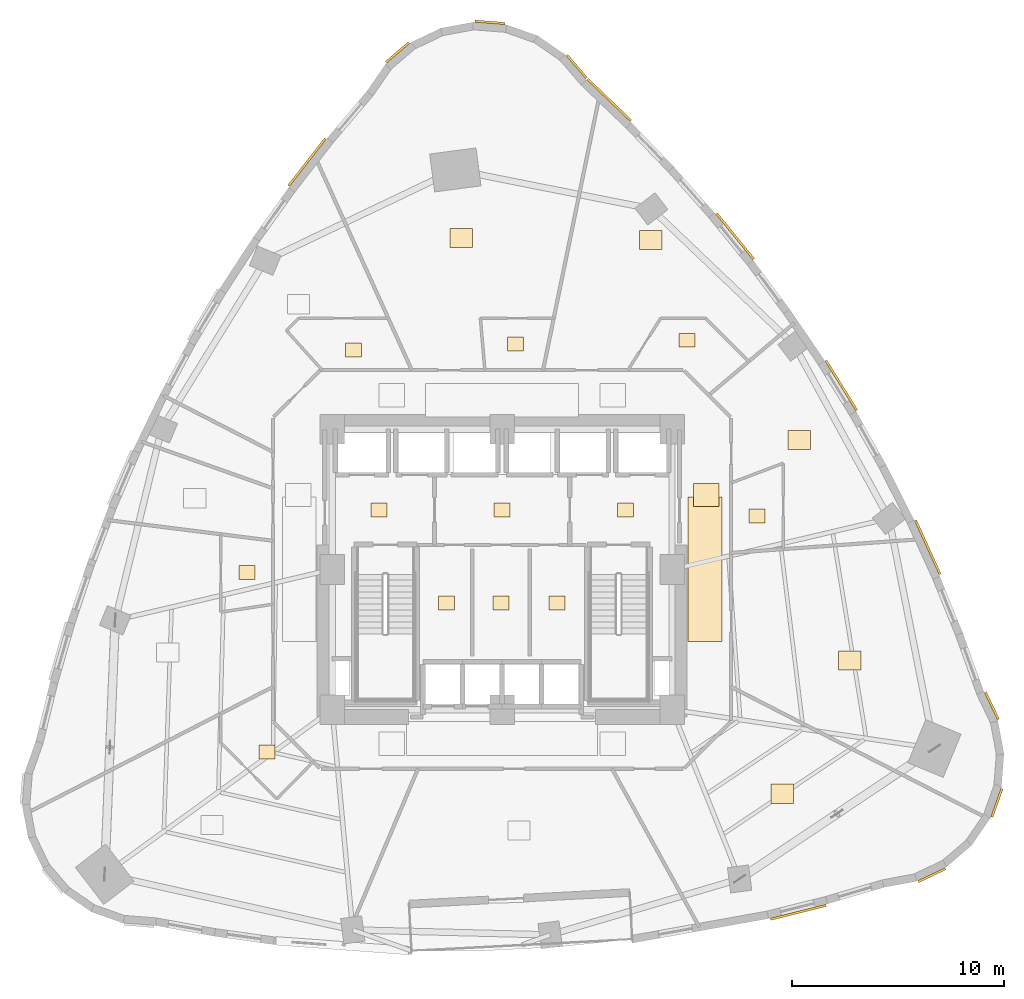
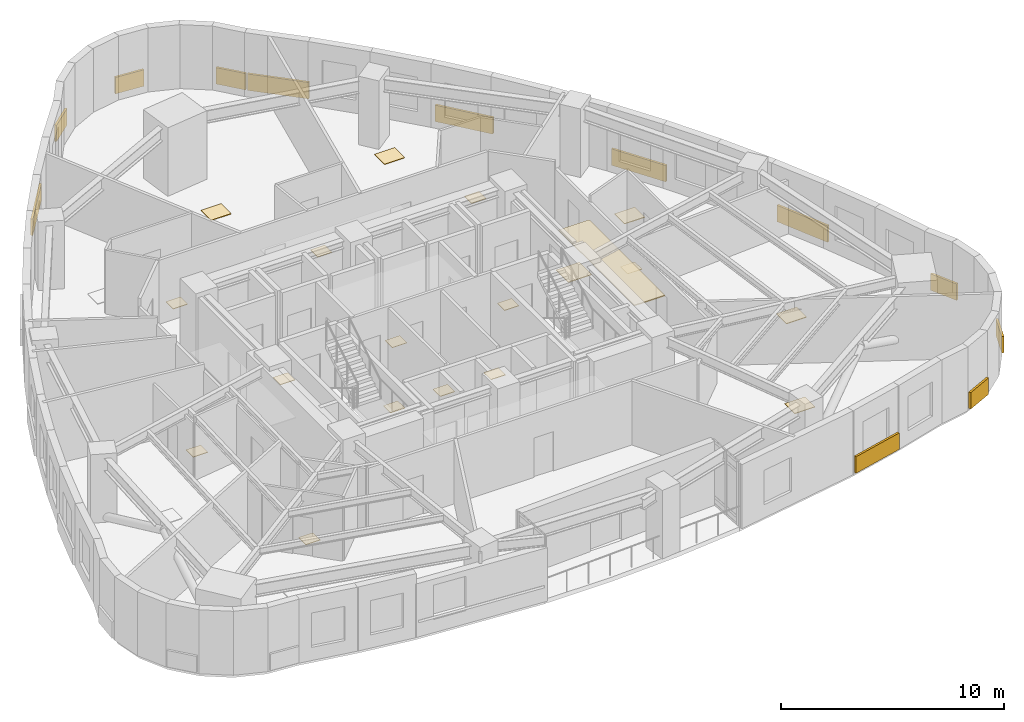
# One storey, part 11 of 11: 31 coverings.
"""IFC4 building model written with IfcOpenShell, lengths in metres."""

from ifc_helpers import new_model, si_unit, direction, frame, origin, origin_2d, place, context, subcontext, project, spatial, rectangle, extrude, material, layer, layer_set, type_object, element, save


model = new_model("IFC4")

# Units and contexts
model_context = context("Model", 3, precision=1e-05, world=origin(), true_north=direction((0.0, 1.0)))
body_context = subcontext(model_context, "Body", "Model", "MODEL_VIEW")
ifc_project = project(units=[si_unit("LENGTHUNIT", "METRE"), si_unit("AREAUNIT", "SQUARE_METRE"), si_unit("VOLUMEUNIT", "CUBIC_METRE"), si_unit("PLANEANGLEUNIT", "RADIAN"), si_unit("MASSUNIT", "GRAM", prefix="KILO")], contexts=[model_context])

# Site, building, storey
site_placement = place(None, origin())
site = spatial("IfcSite", under=ifc_project, at=site_placement, CompositionType="ELEMENT")
building_placement = place(site_placement, origin())
building = spatial("IfcBuilding", under=site, at=building_placement, Name="Ndelora Gate Hotel", CompositionType="ELEMENT")
storey_placement = place(building_placement, frame((0.0, 0.0, 49.25)))
storey = spatial("IfcBuildingStorey", under=building, at=storey_placement, Name="L11", CompositionType="ELEMENT", Elevation=49.25)

# Coverings
ifc_material_1 = material(Name="Perforated Acoustic Gypsum Board", Category="gypsum")
ifc_layer_1 = layer(ifc_material_1, 0.054931640625)
ifc_layer_set_1 = layer_set([ifc_layer_1], Name="Perforated Acoustic Gypsum Board")
covering_type_1 = type_object("IfcCoveringType", Name="COV-CEIL-AC60", PredefinedType="CEILING", material=ifc_layer_set_1)
covering_1_placement = place(storey_placement, frame((9.550048828125, 0.0, 2.65234375), z_axis=(0.0, 0.0, 1.0), x_axis=(1.0, 0.0, 0.0)))
element("IfcCovering", 1, at=covering_1_placement, inside=storey, type_object=covering_type_1, Name="L11 Guest Corridor Acoustic Ceiling E", PredefinedType="CEILING", context=body_context, shape_type="SweptSolid", body=[
    extrude(rectangle(XDim=1.580078125, YDim=6.800048828125, at=origin_2d()), origin(), (0.0, 0.0, 1.0), 0.054931640625),
])
ifc_material_2 = material(Name="Terracotta Fired Clay Brick Slip Cladding", Category="masonry")
ifc_layer_2 = layer(ifc_material_2, 0.110107421875)
ifc_layer_set_2 = layer_set([ifc_layer_2], Name="Terracotta Fired Clay Brick Slip Cladding")
covering_type_2 = type_object("IfcCoveringType", Name="COV-CLAD-BRK", PredefinedType="CLADDING", material=ifc_layer_set_2)
for number, where, z_axis, x_axis, name in (
    (2, (3.513427734375, 23.6669921875, 0.10009765625), (0.0, 0.0, 1.0), (-0.64944804833, 0.7604059656, 0.0), "L11 Rounded-Corner Brick Cladding Band 1"),
    (3, (-0.567138671875, 25.74609375, 0.10009765625), (0.0, 0.0, 1.0), (-0.996917333733, 0.078459095728, 0.0), "L11 Rounded-Corner Brick Cladding Band 4"),
    (4, (-4.9228515625, 24.330810546875, 0.10009765625), (0.0, 0.0, 1.0), (0.7604059656, 0.64944804833, 0.0), "L11 Rounded-Corner Brick Cladding Band 7"),
):
    element("IfcCovering", number, at=place(storey_placement, frame(where, z_axis=z_axis, x_axis=x_axis)), inside=storey, type_object=covering_type_2, Name=name, PredefinedType="CLADDING", context=body_context, shape_type="SweptSolid", body=[
        extrude(rectangle(XDim=1.4140625, YDim=0.110107421875, at=origin_2d()), origin(), (0.0, 0.0, 1.0), 0.89990234375),
    ])
covering_2_placement = place(storey_placement, frame((-9.1796875, 19.166259765625, 0.10009765625), z_axis=(0.0, 0.0, 1.0), x_axis=(0.61414746959, 0.789191285809, 0.0)))
element("IfcCovering", 5, at=covering_2_placement, inside=storey, type_object=covering_type_2, Name="L11 Rounded-Corner Brick Cladding Band 10", PredefinedType="CLADDING", context=body_context, shape_type="SweptSolid", body=[
    extrude(rectangle(XDim=2.81103515625, YDim=0.110107421875, at=origin_2d()), origin(), (0.0, 0.0, 1.0), 0.89990234375),
])
covering_3_placement = place(storey_placement, frame((13.94580078125, -16.140380859375, 0.10009765625), z_axis=(0.0, 0.0, 1.0), x_axis=(0.970168923267, 0.242429908069, 0.0)))
element("IfcCovering", 6, at=covering_3_placement, inside=storey, type_object=covering_type_2, Name="L11 Rounded-Corner Brick Cladding Band 37", PredefinedType="CLADDING", context=body_context, shape_type="SweptSolid", body=[
    extrude(rectangle(XDim=2.696044921875, YDim=0.110107421875, at=origin_2d()), origin(), (0.0, 0.0, 1.0), 0.89990234375),
])
for number, where, z_axis, x_axis, name in (
    (7, (20.22509765625, -14.3935546875, 0.10009765625), (0.0, 0.0, 1.0), (0.90258528435, 0.430511096808, 0.0), "L11 Rounded-Corner Brick Cladding Band 40"),
    (8, (23.28955078125, -10.989990234375, 0.10009765625), (0.0, 0.0, 1.0), (0.333806859234, 0.942641491092, 0.0), "L11 Rounded-Corner Brick Cladding Band 43"),
    (9, (23.0498046875, -6.41650390625, 0.10009765625), (0.0, 0.0, 1.0), (-0.430511096808, 0.90258528435, 0.0), "L11 Rounded-Corner Brick Cladding Band 46"),
):
    element("IfcCovering", number, at=place(storey_placement, frame(where, z_axis=z_axis, x_axis=x_axis)), inside=storey, type_object=covering_type_2, Name=name, PredefinedType="CLADDING", context=body_context, shape_type="SweptSolid", body=[
        extrude(rectangle(XDim=1.4140625, YDim=0.110107421875, at=origin_2d()), origin(), (0.0, 0.0, 1.0), 0.89990234375),
    ])
covering_4_placement = place(storey_placement, frame((20.037353515625, 1.039794921875, 0.10009765625), z_axis=(0.0, 0.0, 1.0), x_axis=(-0.414534418138, 0.910033634641, 0.0)))
element("IfcCovering", 10, at=covering_4_placement, inside=storey, type_object=covering_type_2, Name="L11 Rounded-Corner Brick Cladding Band 49", PredefinedType="CLADDING", context=body_context, shape_type="SweptSolid", body=[
    extrude(rectangle(XDim=2.791015625, YDim=0.110107421875, at=origin_2d()), origin(), (0.0, 0.0, 1.0), 0.89990234375),
])
covering_5_placement = place(storey_placement, frame((15.966796875, 8.65869140625, 0.10009765625), z_axis=(0.0, 0.0, 1.0), x_axis=(-0.526659094883, 0.850076583478, 0.0)))
element("IfcCovering", 11, at=covering_5_placement, inside=storey, type_object=covering_type_2, Name="L11 Rounded-Corner Brick Cladding Band 52", PredefinedType="CLADDING", context=body_context, shape_type="SweptSolid", body=[
    extrude(rectangle(XDim=2.760009765625, YDim=0.110107421875, at=origin_2d()), origin(), (0.0, 0.0, 1.0), 0.89990234375),
])
covering_6_placement = place(storey_placement, frame((10.970703125, 15.676513671875, 0.10009765625), z_axis=(0.0, 0.0, 1.0), x_axis=(-0.630675807431, 0.776046407067, 0.0)))
element("IfcCovering", 12, at=covering_6_placement, inside=storey, type_object=covering_type_2, Name="L11 Rounded-Corner Brick Cladding Band 55", PredefinedType="CLADDING", context=body_context, shape_type="SweptSolid", body=[
    extrude(rectangle(XDim=2.77490234375, YDim=0.110107421875, at=origin_2d()), origin(), (0.0, 0.0, 1.0), 0.89990234375),
])
covering_7_placement = place(storey_placement, frame((5.049560546875, 22.09228515625, 0.10009765625), z_axis=(0.0, 0.0, 1.0), x_axis=(-0.722122534463, 0.691765166238, 0.0)))
element("IfcCovering", 13, at=covering_7_placement, inside=storey, type_object=covering_type_2, Name="L11 Rounded-Corner Brick Cladding Band 58", PredefinedType="CLADDING", context=body_context, shape_type="SweptSolid", body=[
    extrude(rectangle(XDim=2.8369140625, YDim=0.110107421875, at=origin_2d()), origin(), (0.0, 0.0, 1.0), 0.89990234375),
])
ifc_material_3 = material(Name="Engineered Highland Oak Parquet", Category="wood")
ifc_layer_3 = layer(ifc_material_3, 0.030029296875)
ifc_layer_set_3 = layer_set([ifc_layer_3], Name="Engineered Highland Oak Parquet")
covering_type_3 = type_object("IfcCoveringType", Name="COV-FLR-PARQ", PredefinedType="FLOORING", material=ifc_layer_set_3)
for number, where, z_axis, x_axis, name in (
    (14, (13.18310546875, -10.55908203125, 0.0), (0.0, 0.0, 1.0), (1.0, 0.0, 0.0), "L11 Business Study Office Oak Parquet Flooring"),
    (15, (16.368896484375, -4.294677734375, 0.0), (0.0, 0.0, 1.0), (1.0, 0.0, 0.0), "L11 Reading Library Room Oak Parquet Flooring"),
    (16, (13.992431640625, 6.093017578125, 0.0), (0.0, 0.0, 1.0), (1.0, 0.0, 0.0), "L11 Twin Guest Room 1403 Oak Parquet Flooring"),
    (17, (6.994384765625, 15.50390625, 0.0), (0.0, 0.0, 1.0), (1.0, 0.0, 0.0), "L11 Corner Junior Suite 1404 Oak Parquet Flooring"),
    (18, (-1.927490234375, 15.596923828125, 0.0), (0.0, 0.0, 1.0), (1.0, 0.0, 0.0), "L11 Deluxe King Junior Suite 1405 Oak Parquet Flooring"),
):
    element("IfcCovering", number, at=place(storey_placement, frame(where, z_axis=z_axis, x_axis=x_axis)), inside=storey, type_object=covering_type_3, Name=name, PredefinedType="FLOORING", context=body_context, shape_type="SweptSolid", body=[
        extrude(rectangle(XDim=1.050048828125, YDim=0.89990234375, at=origin_2d()), origin(), (0.0, 0.0, 1.0), 0.030029296875),
    ])
ifc_material_4 = material(Name="Polished Highland Stone Terrazzo", Category="masonry")
ifc_layer_4 = layer(ifc_material_4, 0.034912109375)
ifc_layer_set_4 = layer_set([ifc_layer_4], Name="Polished Highland Stone Terrazzo")
covering_type_4 = type_object("IfcCoveringType", Name="COV-FLR-TERZ", PredefinedType="FLOORING", material=ifc_layer_set_4)
covering_8_placement = place(storey_placement, frame((9.60009765625, 3.5, 0.0), z_axis=(0.0, 0.0, 1.0), x_axis=(1.0, 0.0, 0.0)))
element("IfcCovering", 19, at=covering_8_placement, inside=storey, type_object=covering_type_4, Name="L11 Corridor Threshold Terrazzo Inlay E", PredefinedType="FLOORING", context=body_context, shape_type="SweptSolid", body=[
    extrude(rectangle(XDim=1.199951171875, YDim=1.10009765625, at=origin_2d()), origin(), (0.0, 0.0, 1.0), 0.034912109375),
])
ifc_material_5 = material(Name="Non-Slip Porcelain Wet-Room Tile", Category="ceramic")
ifc_layer_5 = layer(ifc_material_5, 0.02490234375)
ifc_layer_set_5 = layer_set([ifc_layer_5], Name="Non-Slip Porcelain Wet-Room Tile")
covering_type_5 = type_object("IfcCoveringType", Name="COV-FLR-TILE", PredefinedType="FLOORING", material=ifc_layer_set_5)
for number, where, z_axis, x_axis, name in (
    (20, (-5.800048828125, 2.800048828125, 0.0), (0.0, 0.0, 1.0), (1.0, 0.0, 0.0), "L11 Firefighting Lift Lobby West Porcelain Tile Flooring"),
    (21, (5.800048828125, 2.800048828125, 0.0), (0.0, 0.0, 1.0), (1.0, 0.0, 0.0), "L11 Firefighting Lift Lobby East Porcelain Tile Flooring"),
    (22, (0.0, 2.800048828125, 0.0), (0.0, 0.0, 1.0), (1.0, 0.0, 0.0), "L11 Central Passenger Lift Lobby Porcelain Tile Flooring"),
    (23, (-2.625, -1.574951171875, 0.0), (0.0, 0.0, 1.0), (1.0, 0.0, 0.0), "L11 Core Cleaners Store Porcelain Tile Flooring"),
    (24, (-0.050048828125, -1.574951171875, 0.0), (0.0, 0.0, 1.0), (1.0, 0.0, 0.0), "L11 Core Telecoms Equipment Room Porcelain Tile Flooring"),
    (25, (2.574951171875, -1.574951171875, 0.0), (0.0, 0.0, 1.0), (1.0, 0.0, 0.0), "L11 Core Electrical Metering Room Porcelain Tile Flooring"),
    (26, (-12.0048828125, -0.14599609375, 0.0), (0.0, 0.0, 1.0), (1.0, 0.0, 0.0), "L11 En-suite Bathroom 1401 Porcelain Tile Flooring"),
    (27, (-11.063232421875, -8.59912109375, 0.0), (0.0, 0.0, 1.0), (1.0, 0.0, 0.0), "L11 En-suite Bathroom 1402 Porcelain Tile Flooring"),
    (28, (12.0048828125, 2.51708984375, 0.0), (0.0, 0.0, 1.0), (1.0, 0.0, 0.0), "L11 En-suite Bathroom 1403 Porcelain Tile Flooring"),
    (29, (8.7060546875, 10.788818359375, 0.0), (0.0, 0.0, 1.0), (1.0, 0.0, 0.0), "L11 En-suite Bathroom 1404 Porcelain Tile Flooring"),
    (30, (0.6328125, 10.60498046875, 0.0), (0.0, 0.0, 1.0), (1.0, 0.0, 0.0), "L11 En-suite Bathroom 1405 Porcelain Tile Flooring"),
    (31, (-6.99853515625, 10.33154296875, 0.0), (0.0, 0.0, 1.0), (1.0, 0.0, 0.0), "L11 En-suite Bathroom 1406 Porcelain Tile Flooring"),
):
    element("IfcCovering", number, at=place(storey_placement, frame(where, z_axis=z_axis, x_axis=x_axis)), inside=storey, type_object=covering_type_5, Name=name, PredefinedType="FLOORING", context=body_context, shape_type="SweptSolid", body=[
        extrude(rectangle(XDim=0.75, YDim=0.64990234375, at=origin_2d()), origin(), (0.0, 0.0, 1.0), 0.02490234375),
    ])

save(model, "model.ifc")
